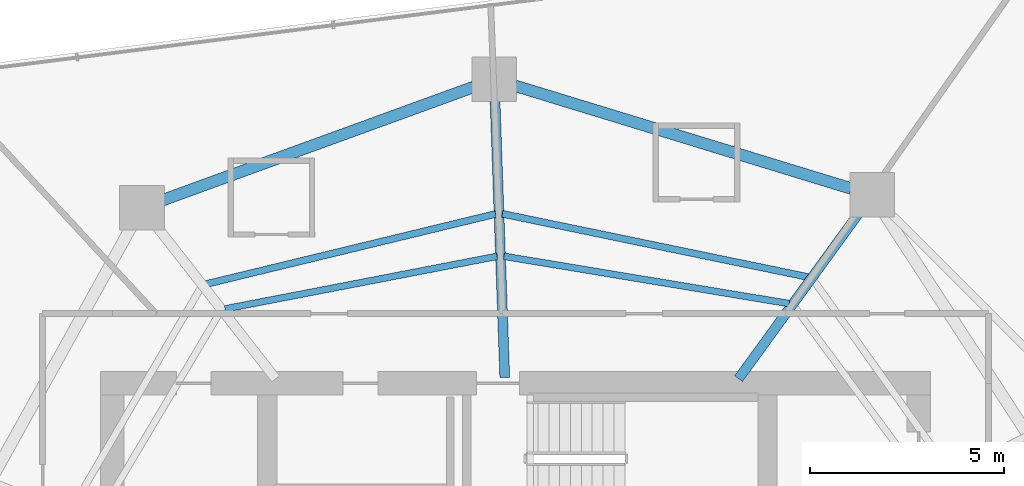
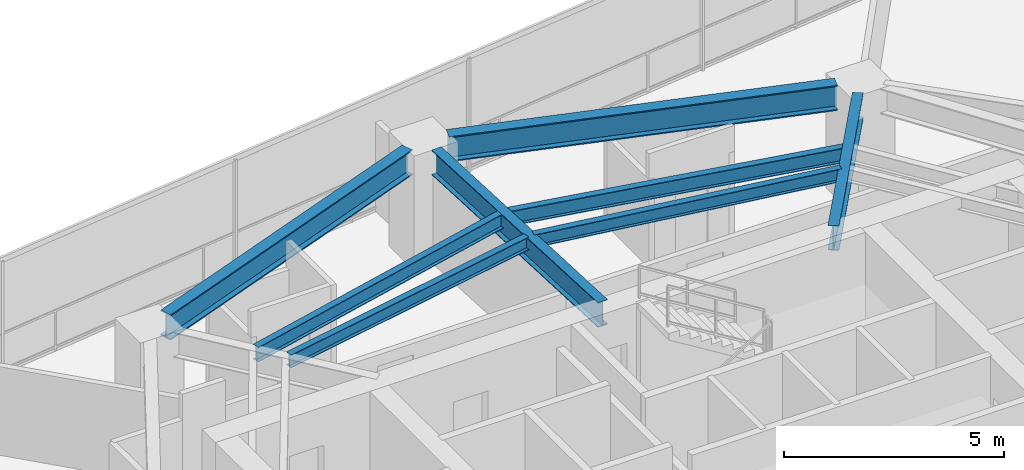
# One storey, part 17 of 30: 8 beams.
"""IFC4 building model written with IfcOpenShell, lengths in metres."""

from ifc_helpers import new_model, si_unit, direction, frame, origin, origin_2d, place, context, subcontext, project, spatial, i_section, extrude, material, material_profile, profile_set, type_object, element, save


model = new_model("IFC4")

# Units and contexts
model_context = context("Model", 3, precision=1e-05, world=origin(), true_north=direction((0.0, 1.0)))
body_context = subcontext(model_context, "Body", "Model", "MODEL_VIEW")
ifc_project = project(units=[si_unit("LENGTHUNIT", "METRE"), si_unit("AREAUNIT", "SQUARE_METRE"), si_unit("VOLUMEUNIT", "CUBIC_METRE"), si_unit("PLANEANGLEUNIT", "RADIAN"), si_unit("MASSUNIT", "GRAM", prefix="KILO")], contexts=[model_context])

# Site, building, storey
site_placement = place(None, origin())
site = spatial("IfcSite", under=ifc_project, at=site_placement, CompositionType="ELEMENT")
building_placement = place(site_placement, origin())
building = spatial("IfcBuilding", under=site, at=building_placement, Name="Qarnah Convention Tower", CompositionType="ELEMENT")
storey_placement = place(building_placement, frame((0.0, 0.0, 93.60009765625)))
storey = spatial("IfcBuildingStorey", under=building, at=storey_placement, Name="L24", CompositionType="ELEMENT", Elevation=93.60009765625)

# Beams
ifc_material = material(Name="Structural steel S355JR", Category="steel")
ifc_material_profile_1 = material_profile(ifc_material, i_section(OverallWidth=0.172119140625, OverallDepth=0.35595703125, WebThickness=0.007080078125, FlangeThickness=0.011962890625, at=origin_2d()), Name="W360X51")
ifc_profile_set_1 = profile_set([ifc_material_profile_1], Name="Structural steel S355JR")
beam_type_1 = type_object("IfcBeamType", Name="BM-JST-W360", PredefinedType="JOIST", material=ifc_profile_set_1)
beam_1_placement = place(storey_placement, frame((44.260986328125, 36.257080078125, 2.991943359375), z_axis=(-0.986513960493, 0.163677138757, 0.0), x_axis=(-0.163677138757, -0.986513960493, 0.0)))
element("IfcBeam", 1, at=beam_1_placement, inside=storey, type_object=beam_type_1, Name="L24 joist BM-L24-IJST-02", PredefinedType="JOIST", context=body_context, shape_type="SweptSolid", body=[
    extrude(i_section(OverallWidth=0.172119140625, OverallDepth=0.35595703125, WebThickness=0.007080078125, FlangeThickness=0.011962890625, at=origin_2d()), origin(), (0.0, 0.0, 1.0), 7.45947265625),
])
beam_2_placement = place(storey_placement, frame((36.72509765625, 37.47607421875, 2.991943359375), z_axis=(-0.981841874694, -0.189701167886, 0.0), x_axis=(0.189701167886, -0.981841874694, 0.0)))
element("IfcBeam", 2, at=beam_2_placement, inside=storey, type_object=beam_type_1, Name="L24 joist BM-L24-IJST-03", PredefinedType="JOIST", context=body_context, shape_type="SweptSolid", body=[
    extrude(i_section(OverallWidth=0.172119140625, OverallDepth=0.35595703125, WebThickness=0.007080078125, FlangeThickness=0.011962890625, at=origin_2d()), origin(), (0.0, 0.0, 1.0), 7.14794921875),
])
ifc_material_profile_2 = material_profile(ifc_material, i_section(OverallWidth=0.177978515625, OverallDepth=0.407958984375, WebThickness=0.008056640625, FlangeThickness=0.012939453125, at=origin_2d()), Name="W410X60")
ifc_profile_set_2 = profile_set([ifc_material_profile_2], Name="Structural steel S355JR")
beam_type_2 = type_object("IfcBeamType", Name="BM-JST-W410", PredefinedType="JOIST", material=ifc_profile_set_2)
beam_3_placement = place(storey_placement, frame((44.757080078125, 36.93994140625, 2.9658203125), z_axis=(-0.979289211304, 0.202466393814, 0.0), x_axis=(-0.202466393814, -0.979289211304, 0.0)))
element("IfcBeam", 3, at=beam_3_placement, inside=storey, type_object=beam_type_2, Name="L24 joist BM-L24-SJST-02", PredefinedType="JOIST", context=body_context, shape_type="SweptSolid", body=[
    extrude(i_section(OverallWidth=0.177978515625, OverallDepth=0.407958984375, WebThickness=0.008056640625, FlangeThickness=0.012939453125, at=origin_2d()), origin(), (0.0, 0.0, 1.0), 8.06103515625),
])
beam_4_placement = place(storey_placement, frame((36.68798828125, 38.569091796875, 2.9658203125), z_axis=(-0.971933267781, -0.235256717183, 0.0), x_axis=(0.235256717183, -0.971933267781, 0.0)))
element("IfcBeam", 4, at=beam_4_placement, inside=storey, type_object=beam_type_2, Name="L24 joist BM-L24-SJST-03", PredefinedType="JOIST", context=body_context, shape_type="SweptSolid", body=[
    extrude(i_section(OverallWidth=0.177978515625, OverallDepth=0.407958984375, WebThickness=0.008056640625, FlangeThickness=0.012939453125, at=origin_2d()), origin(), (0.0, 0.0, 1.0), 7.694091796875),
])
ifc_material_profile_3 = material_profile(ifc_material, i_section(OverallWidth=0.25390625, OverallDepth=0.68798828125, WebThickness=0.012939453125, FlangeThickness=0.02099609375, at=origin_2d()), Name="W690X152")
ifc_profile_set_3 = profile_set([ifc_material_profile_3], Name="Structural steel S355JR")
beam_type_3 = type_object("IfcBeamType", Name="BM-RAD-W690", PredefinedType="BEAM", material=ifc_profile_set_3)
beam_5_placement = place(storey_placement, frame((42.955078125, 34.321044921875, 2.825927734375), z_axis=(0.587824069471, 0.808988790621, 0.0), x_axis=(-0.808988790621, 0.587824069471, 0.0)))
element("IfcBeam", 5, at=beam_5_placement, inside=storey, type_object=beam_type_3, Name="L24 beam BM-L24-RAD-02", PredefinedType="BEAM", context=body_context, shape_type="SweptSolid", body=[
    extrude(i_section(OverallWidth=0.25390625, OverallDepth=0.68798828125, WebThickness=0.012939453125, FlangeThickness=0.02099609375, at=origin_2d()), origin(), (0.0, 0.0, 1.0), 5.30419921875),
])
beam_6_placement = place(storey_placement, frame((36.923095703125, 34.35009765625, 2.825927734375), z_axis=(-0.035017005912, 0.99938671659, 0.0), x_axis=(-0.99938671659, -0.035017005912, 0.0)))
element("IfcBeam", 6, at=beam_6_placement, inside=storey, type_object=beam_type_3, Name="L24 beam BM-L24-RAD-03", PredefinedType="BEAM", context=body_context, shape_type="SweptSolid", body=[
    extrude(i_section(OverallWidth=0.25390625, OverallDepth=0.68798828125, WebThickness=0.012939453125, FlangeThickness=0.02099609375, at=origin_2d()), origin(), (0.0, 0.0, 1.0), 7.139404296875),
])
ifc_material_profile_4 = material_profile(ifc_material, i_section(OverallWidth=0.300048828125, OverallDepth=0.699951171875, WebThickness=0.01708984375, FlangeThickness=0.031982421875, at=origin_2d()), Name="HEB700")
ifc_profile_set_4 = profile_set([ifc_material_profile_4], Name="Structural steel S355JR")
beam_type_4 = type_object("IfcBeamType", Name="BM-RING-HEB700", PredefinedType="BEAM", material=ifc_profile_set_4)
beam_7_placement = place(storey_placement, frame((45.85888671875, 39.22607421875, 2.81982421875), z_axis=(-0.956309936148, 0.292354760565, 0.0), x_axis=(-0.292354760565, -0.956309936148, 0.0)))
element("IfcBeam", 7, at=beam_7_placement, inside=storey, type_object=beam_type_4, Name="L24 beam BM-L24-SPN-02", PredefinedType="BEAM", context=body_context, shape_type="SweptSolid", body=[
    extrude(i_section(OverallWidth=0.300048828125, OverallDepth=0.699951171875, WebThickness=0.01708984375, FlangeThickness=0.031982421875, at=origin_2d()), origin(), (0.0, 0.0, 1.0), 9.060546875),
])
beam_8_placement = place(storey_placement, frame((36.123046875, 41.846923828125, 2.81982421875), z_axis=(-0.939683226771, -0.342045952067, 0.0), x_axis=(0.342045952067, -0.939683226771, 0.0)))
element("IfcBeam", 8, at=beam_8_placement, inside=storey, type_object=beam_type_4, Name="L24 beam BM-L24-SPN-03", PredefinedType="BEAM", context=body_context, shape_type="SweptSolid", body=[
    extrude(i_section(OverallWidth=0.300048828125, OverallDepth=0.699951171875, WebThickness=0.01708984375, FlangeThickness=0.031982421875, at=origin_2d()), origin(), (0.0, 0.0, 1.0), 8.542236328125),
])

save(model, "model.ifc")
